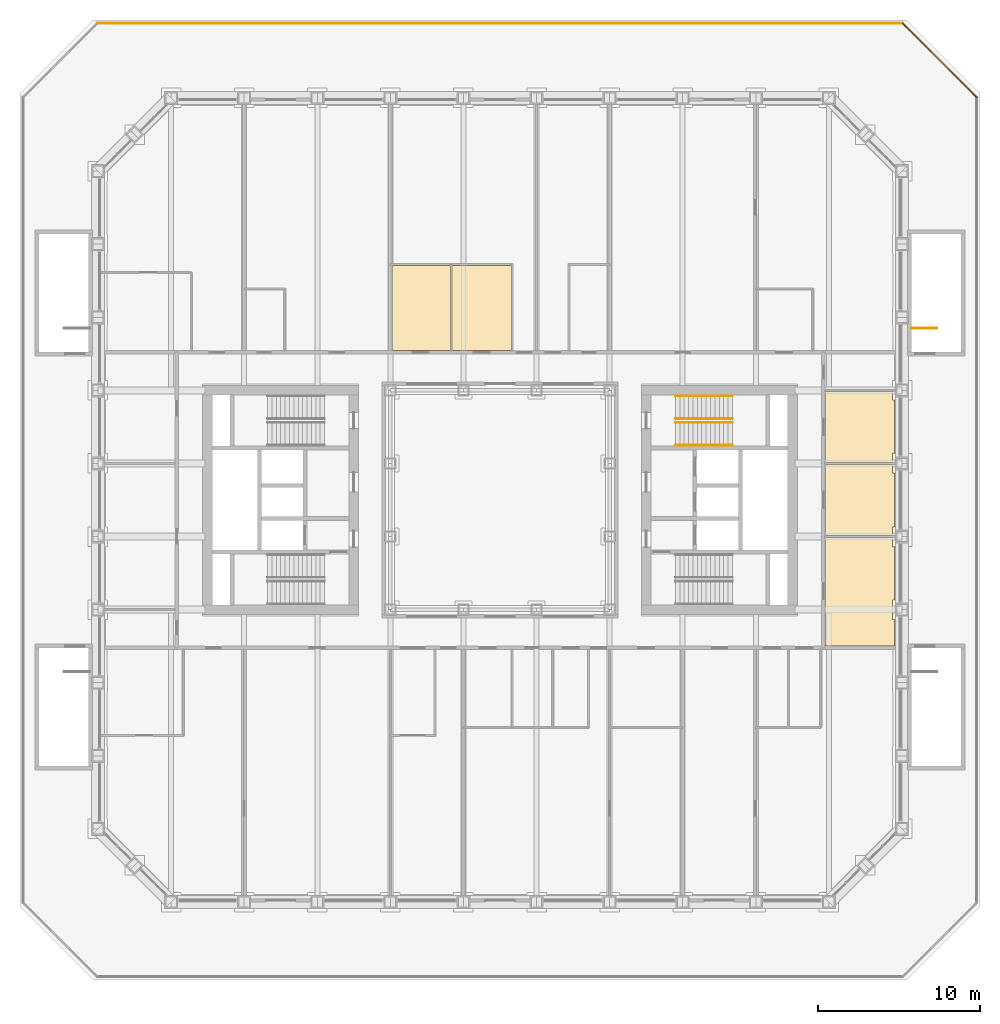
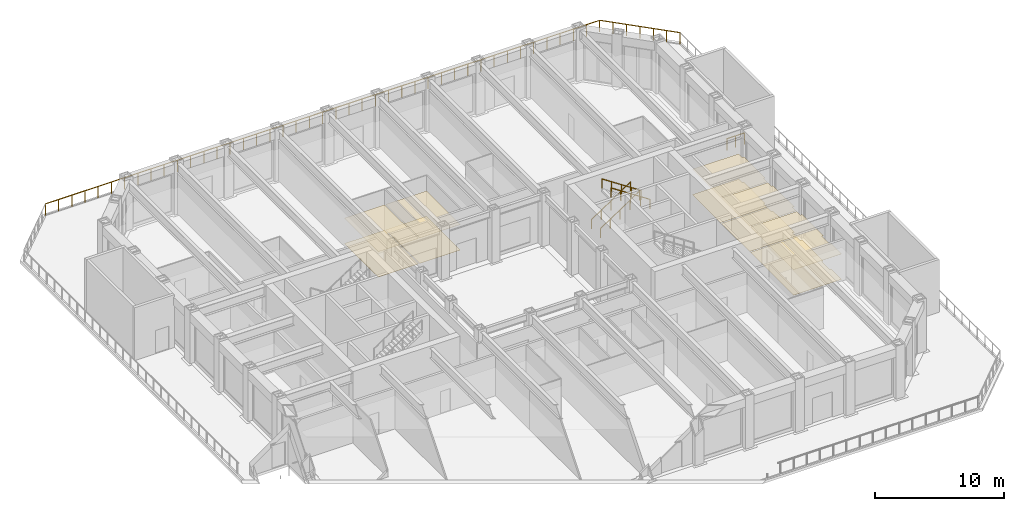
# One storey, part 18 of 18: 7 railings, 2 coverings.
"""IFC4 building model written with IfcOpenShell, lengths in metres."""

from ifc_helpers import new_model, si_unit, direction, frame, origin, origin_2d, place, context, subcontext, project, spatial, line, indexed_curve, circle, outline, extrude, material, layer, layer_set, type_object, element, save


model = new_model("IFC4")

# Units and contexts
model_context = context("Model", 3, precision=1e-05, world=origin(), true_north=direction((0.0, 1.0)))
body_context = subcontext(model_context, "Body", "Model", "MODEL_VIEW")
ifc_project = project(units=[si_unit("LENGTHUNIT", "METRE"), si_unit("AREAUNIT", "SQUARE_METRE"), si_unit("VOLUMEUNIT", "CUBIC_METRE"), si_unit("PLANEANGLEUNIT", "RADIAN"), si_unit("MASSUNIT", "GRAM", prefix="KILO")], contexts=[model_context])

# Site, building, storey
site_placement = place(None, origin())
site = spatial("IfcSite", under=ifc_project, at=site_placement, CompositionType="ELEMENT")
building_placement = place(site_placement, origin())
building = spatial("IfcBuilding", under=site, at=building_placement, Name="Msasa Ring Tower", CompositionType="ELEMENT")
storey_placement = place(building_placement, frame((0.0, 0.0, 21.5)))
storey = spatial("IfcBuildingStorey", under=building, at=storey_placement, Name="L04", CompositionType="ELEMENT", Elevation=21.5)

# Coverings
ifc_material_1 = material(Name="Moisture-resistant gypsum plasterboard on a steel suspension grid", Category="steel")
ifc_layer_1 = layer(ifc_material_1, 0.014892578125)
ifc_layer_set_1 = layer_set([ifc_layer_1], Name="C2 MOISTURE-RESISTANT PLASTERBOARD CEILING 15")
covering_type_1 = type_object("IfcCoveringType", Name="C2 MOISTURE-RESISTANT PLASTERBOARD CEILING 15", PredefinedType="CEILING", material=ifc_layer_set_1)
covering_1_placement = place(storey_placement, frame((0.0, 0.0, 2.39990234375)))
element("IfcCovering", 1, at=covering_1_placement, inside=storey, type_object=covering_type_1, Name="Moisture-Resistant Plasterboard Ceiling 15 L04", PredefinedType="CEILING", context=body_context, shape_type="SweptSolid", body=[
    extrude(outline(indexed_curve([(-6.6494140625, 9.200439453125), (-6.6494140625, 14.449462890625), (-3.050537109375, 14.449462890625), (-3.050537109375, 9.200439453125)], segments=[line(1, 2, 3, 4, 1)], self_intersect=False)), origin(), (0.0, 0.0, 1.0), 0.01513671875),
    extrude(outline(indexed_curve([(-2.949462890625, 9.200439453125), (-2.949462890625, 14.449462890625), (0.699462890625, 14.449462890625), (0.699462890625, 9.200439453125)], segments=[line(1, 2, 3, 4, 1)], self_intersect=False)), origin(), (0.0, 0.0, 1.0), 0.01513671875),
    extrude(outline(indexed_curve([(24.1494140625, -2.305419921875), (24.1494140625, -2.8505859375), (24.299560546875, -2.8505859375), (24.299560546875, -6.1494140625), (24.1494140625, -6.1494140625), (24.1494140625, -7.3505859375), (24.299560546875, -7.3505859375), (24.299560546875, -8.99951171875), (20.00048828125, -8.99951171875), (20.00048828125, -2.305419921875)], segments=[line(1, 2, 3, 4, 5, 6, 7, 8, 9, 10, 1)], self_intersect=False)), origin(), (0.0, 0.0, 1.0), 0.01513671875),
    extrude(outline(indexed_curve([(24.1494140625, 2.194580078125), (24.1494140625, 1.6494140625), (24.299560546875, 1.6494140625), (24.299560546875, -1.6494140625), (24.1494140625, -1.6494140625), (24.1494140625, -2.194580078125), (20.00048828125, -2.194580078125), (20.00048828125, 2.194580078125)], segments=[line(1, 2, 3, 4, 5, 6, 7, 8, 1)], self_intersect=False)), origin(), (0.0, 0.0, 1.0), 0.01513671875),
    extrude(outline(indexed_curve([(24.1494140625, 6.694580078125), (24.1494140625, 6.1494140625), (24.299560546875, 6.1494140625), (24.299560546875, 2.8505859375), (24.1494140625, 2.8505859375), (24.1494140625, 2.305419921875), (20.00048828125, 2.305419921875), (20.00048828125, 6.694580078125)], segments=[line(1, 2, 3, 4, 5, 6, 7, 8, 1)], self_intersect=False)), origin(), (0.0, 0.0, 1.0), 0.01513671875),
])
ifc_material_2 = material(Name="Porcelain floor tiles in adhesive", Category="ceramic")
ifc_layer_2 = layer(ifc_material_2, 0.010009765625)
ifc_layer_set_2 = layer_set([ifc_layer_2], Name="F4 PORCELAIN TILE ON ADHESIVE 10")
covering_type_2 = type_object("IfcCoveringType", Name="F4 PORCELAIN TILE ON ADHESIVE 10", PredefinedType="FLOORING", material=ifc_layer_set_2)
covering_2_placement = place(storey_placement, origin())
element("IfcCovering", 2, at=covering_2_placement, inside=storey, type_object=covering_type_2, Name="Porcelain Tile On Adhesive 10 L04", PredefinedType="FLOORING", context=body_context, shape_type="SweptSolid", body=[
    extrude(outline(indexed_curve([(-3.050537109375, 14.449462890625), (-3.050537109375, 9.200439453125), (-6.6494140625, 9.200439453125), (-6.6494140625, 14.449462890625)], segments=[line(1, 2, 3, 4, 1)], self_intersect=False)), origin(), (0.0, 0.0, 1.0), 0.010009765625),
    extrude(outline(indexed_curve([(-2.949462890625, 14.449462890625), (0.699462890625, 14.449462890625), (0.699462890625, 9.200439453125), (-2.949462890625, 9.200439453125)], segments=[line(1, 2, 3, 4, 1)], self_intersect=False)), origin(), (0.0, 0.0, 1.0), 0.010009765625),
    extrude(outline(indexed_curve([(24.299560546875, -6.1494140625), (24.1494140625, -6.1494140625), (24.1494140625, -7.3505859375), (24.299560546875, -7.3505859375), (24.299560546875, -8.99951171875), (20.00048828125, -8.99951171875), (20.00048828125, -2.305419921875), (24.1494140625, -2.305419921875), (24.1494140625, -2.8505859375), (24.299560546875, -2.8505859375)], segments=[line(1, 2, 3, 4, 5, 6, 7, 8, 9, 10, 1)], self_intersect=False)), origin(), (0.0, 0.0, 1.0), 0.010009765625),
    extrude(outline(indexed_curve([(24.299560546875, -1.6494140625), (24.1494140625, -1.6494140625), (24.1494140625, -2.194580078125), (20.00048828125, -2.194580078125), (20.00048828125, 2.194580078125), (24.1494140625, 2.194580078125), (24.1494140625, 1.6494140625), (24.299560546875, 1.6494140625)], segments=[line(1, 2, 3, 4, 5, 6, 7, 8, 1)], self_intersect=False)), origin(), (0.0, 0.0, 1.0), 0.010009765625),
    extrude(outline(indexed_curve([(24.299560546875, 2.8505859375), (24.1494140625, 2.8505859375), (24.1494140625, 2.305419921875), (20.00048828125, 2.305419921875), (20.00048828125, 6.694580078125), (24.1494140625, 6.694580078125), (24.1494140625, 6.1494140625), (24.299560546875, 6.1494140625)], segments=[line(1, 2, 3, 4, 5, 6, 7, 8, 1)], self_intersect=False)), origin(), (0.0, 0.0, 1.0), 0.010009765625),
])

# Railings
ifc_material_3 = material(Name="Stainless steel", Category="steel")
railing_type_1 = type_object("IfcRailingType", Name="GR1 GUARD 1100", PredefinedType="GUARDRAIL", material=ifc_material_3)
railing_1_placement = place(storey_placement, frame((25.324951171875, 10.574951171875, 0.0)))
element("IfcRailing", 3, at=railing_1_placement, inside=storey, type_object=railing_type_1, Name="Guard at the head of podium stair PEN", PredefinedType="GUARDRAIL", context=body_context, shape_type="SweptSolid", body=[
    extrude(circle(Radius=0.02392578125, at=origin_2d()), frame((0.0, 0.0, 1.076171875), z_axis=(1.0, 0.0, 0.0), x_axis=(0.0, 1.0, 0.0)), (0.0, 0.0, 1.0), 1.574951171875),
    extrude(circle(Radius=0.02099609375, at=origin_2d()), origin(), (0.0, 0.0, 1.0), 1.052001953125),
    extrude(circle(Radius=0.02099609375, at=origin_2d()), frame((0.78759765625, 0.0, 0.0)), (0.0, 0.0, 1.0), 1.052001953125),
    extrude(circle(Radius=0.02099609375, at=origin_2d()), frame((1.574951171875, 0.0, 0.0)), (0.0, 0.0, 1.0), 1.052001953125),
])
ifc_material_4 = material(Name="Stainless steel and laminated glass", Category="steel")
railing_type_2 = type_object("IfcRailingType", Name="GR2 TERRACE GUARD 1100", PredefinedType="GUARDRAIL", material=ifc_material_4)
railing_2_placement = place(storey_placement, frame((29.35009765625, 24.79150390625, 0.0)))
element("IfcRailing", 4, at=railing_2_placement, inside=storey, type_object=railing_type_2, Name="Podium roof terrace guard NE L04", PredefinedType="GUARDRAIL", context=body_context, shape_type="SweptSolid", body=[
    extrude(circle(Radius=0.02392578125, at=origin_2d()), frame((0.0, 0.0, 1.076171875), z_axis=(-0.707106781187, 0.707106781187, 0.0), x_axis=(-0.707106781187, -0.707106781187, 0.0)), (0.0, 0.0, 1.0), 6.44677734375),
    extrude(circle(Radius=0.02099609375, at=origin_2d()), origin(), (0.0, 0.0, 1.0), 1.052001953125),
    extrude(circle(Radius=0.02099609375, at=origin_2d()), frame((-0.759765625, 0.759765625, 0.0)), (0.0, 0.0, 1.0), 1.052001953125),
    extrude(circle(Radius=0.02099609375, at=origin_2d()), frame((-1.51953125, 1.51953125, 0.0)), (0.0, 0.0, 1.0), 1.052001953125),
    extrude(circle(Radius=0.02099609375, at=origin_2d()), frame((-2.279296875, 2.279296875, 0.0)), (0.0, 0.0, 1.0), 1.052001953125),
    extrude(circle(Radius=0.02099609375, at=origin_2d()), frame((-3.0390625, 3.0390625, 0.0)), (0.0, 0.0, 1.0), 1.052001953125),
    extrude(circle(Radius=0.02099609375, at=origin_2d()), frame((-3.798828125, 3.798828125, 0.0)), (0.0, 0.0, 1.0), 1.052001953125),
    extrude(circle(Radius=0.02099609375, at=origin_2d()), frame((-4.55859375, 4.55859375, 0.0)), (0.0, 0.0, 1.0), 1.052001953125),
])
railing_3_placement = place(storey_placement, frame((24.79150390625, 29.35009765625, 0.0)))
element("IfcRailing", 5, at=railing_3_placement, inside=storey, type_object=railing_type_2, Name="Podium roof terrace guard N L04", PredefinedType="GUARDRAIL", context=body_context, shape_type="SweptSolid", body=[
    extrude(circle(Radius=0.02392578125, at=origin_2d()), frame((0.0, 0.0, 1.076171875), z_axis=(-1.0, 0.0, 0.0), x_axis=(0.0, -1.0, 0.0)), (0.0, 0.0, 1.0), 49.5830078125),
    extrude(circle(Radius=0.02099609375, at=origin_2d()), origin(), (0.0, 0.0, 1.0), 1.052001953125),
    extrude(circle(Radius=0.02099609375, at=origin_2d()), frame((-1.1806640625, 0.0, 0.0)), (0.0, 0.0, 1.0), 1.052001953125),
    extrude(circle(Radius=0.02099609375, at=origin_2d()), frame((-2.361083984375, 0.0, 0.0)), (0.0, 0.0, 1.0), 1.052001953125),
    extrude(circle(Radius=0.02099609375, at=origin_2d()), frame((-3.541748046875, 0.0, 0.0)), (0.0, 0.0, 1.0), 1.052001953125),
    extrude(circle(Radius=0.02099609375, at=origin_2d()), frame((-4.72216796875, 0.0, 0.0)), (0.0, 0.0, 1.0), 1.052001953125),
    extrude(circle(Radius=0.02099609375, at=origin_2d()), frame((-5.90283203125, 0.0, 0.0)), (0.0, 0.0, 1.0), 1.052001953125),
    extrude(circle(Radius=0.02099609375, at=origin_2d()), frame((-7.083251953125, 0.0, 0.0)), (0.0, 0.0, 1.0), 1.052001953125),
    extrude(circle(Radius=0.02099609375, at=origin_2d()), frame((-8.263916015625, 0.0, 0.0)), (0.0, 0.0, 1.0), 1.052001953125),
    extrude(circle(Radius=0.02099609375, at=origin_2d()), frame((-9.4443359375, 0.0, 0.0)), (0.0, 0.0, 1.0), 1.052001953125),
    extrude(circle(Radius=0.02099609375, at=origin_2d()), frame((-10.625, 0.0, 0.0)), (0.0, 0.0, 1.0), 1.052001953125),
    extrude(circle(Radius=0.02099609375, at=origin_2d()), frame((-11.805419921875, 0.0, 0.0)), (0.0, 0.0, 1.0), 1.052001953125),
    extrude(circle(Radius=0.02099609375, at=origin_2d()), frame((-12.986083984375, 0.0, 0.0)), (0.0, 0.0, 1.0), 1.052001953125),
    extrude(circle(Radius=0.02099609375, at=origin_2d()), frame((-14.16650390625, 0.0, 0.0)), (0.0, 0.0, 1.0), 1.052001953125),
    extrude(circle(Radius=0.02099609375, at=origin_2d()), frame((-15.34716796875, 0.0, 0.0)), (0.0, 0.0, 1.0), 1.052001953125),
    extrude(circle(Radius=0.02099609375, at=origin_2d()), frame((-16.527587890625, 0.0, 0.0)), (0.0, 0.0, 1.0), 1.052001953125),
    extrude(circle(Radius=0.02099609375, at=origin_2d()), frame((-17.708251953125, 0.0, 0.0)), (0.0, 0.0, 1.0), 1.052001953125),
    extrude(circle(Radius=0.02099609375, at=origin_2d()), frame((-18.888671875, 0.0, 0.0)), (0.0, 0.0, 1.0), 1.052001953125),
    extrude(circle(Radius=0.02099609375, at=origin_2d()), frame((-20.0693359375, 0.0, 0.0)), (0.0, 0.0, 1.0), 1.052001953125),
    extrude(circle(Radius=0.02099609375, at=origin_2d()), frame((-21.249755859375, 0.0, 0.0)), (0.0, 0.0, 1.0), 1.052001953125),
    extrude(circle(Radius=0.02099609375, at=origin_2d()), frame((-22.430419921875, 0.0, 0.0)), (0.0, 0.0, 1.0), 1.052001953125),
    extrude(circle(Radius=0.02099609375, at=origin_2d()), frame((-23.61083984375, 0.0, 0.0)), (0.0, 0.0, 1.0), 1.052001953125),
    extrude(circle(Radius=0.02099609375, at=origin_2d()), frame((-24.79150390625, 0.0, 0.0)), (0.0, 0.0, 1.0), 1.052001953125),
    extrude(circle(Radius=0.02099609375, at=origin_2d()), frame((-25.97216796875, 0.0, 0.0)), (0.0, 0.0, 1.0), 1.052001953125),
    extrude(circle(Radius=0.02099609375, at=origin_2d()), frame((-27.152587890625, 0.0, 0.0)), (0.0, 0.0, 1.0), 1.052001953125),
    extrude(circle(Radius=0.02099609375, at=origin_2d()), frame((-28.333251953125, 0.0, 0.0)), (0.0, 0.0, 1.0), 1.052001953125),
    extrude(circle(Radius=0.02099609375, at=origin_2d()), frame((-29.513671875, 0.0, 0.0)), (0.0, 0.0, 1.0), 1.052001953125),
    extrude(circle(Radius=0.02099609375, at=origin_2d()), frame((-30.6943359375, 0.0, 0.0)), (0.0, 0.0, 1.0), 1.052001953125),
    extrude(circle(Radius=0.02099609375, at=origin_2d()), frame((-31.874755859375, 0.0, 0.0)), (0.0, 0.0, 1.0), 1.052001953125),
    extrude(circle(Radius=0.02099609375, at=origin_2d()), frame((-33.055419921875, 0.0, 0.0)), (0.0, 0.0, 1.0), 1.052001953125),
    extrude(circle(Radius=0.02099609375, at=origin_2d()), frame((-34.23583984375, 0.0, 0.0)), (0.0, 0.0, 1.0), 1.052001953125),
    extrude(circle(Radius=0.02099609375, at=origin_2d()), frame((-35.41650390625, 0.0, 0.0)), (0.0, 0.0, 1.0), 1.052001953125),
    extrude(circle(Radius=0.02099609375, at=origin_2d()), frame((-36.596923828125, 0.0, 0.0)), (0.0, 0.0, 1.0), 1.052001953125),
    extrude(circle(Radius=0.02099609375, at=origin_2d()), frame((-37.777587890625, 0.0, 0.0)), (0.0, 0.0, 1.0), 1.052001953125),
    extrude(circle(Radius=0.02099609375, at=origin_2d()), frame((-38.9580078125, 0.0, 0.0)), (0.0, 0.0, 1.0), 1.052001953125),
    extrude(circle(Radius=0.02099609375, at=origin_2d()), frame((-40.138671875, 0.0, 0.0)), (0.0, 0.0, 1.0), 1.052001953125),
    extrude(circle(Radius=0.02099609375, at=origin_2d()), frame((-41.319091796875, 0.0, 0.0)), (0.0, 0.0, 1.0), 1.052001953125),
    extrude(circle(Radius=0.02099609375, at=origin_2d()), frame((-42.499755859375, 0.0, 0.0)), (0.0, 0.0, 1.0), 1.052001953125),
    extrude(circle(Radius=0.02099609375, at=origin_2d()), frame((-43.68017578125, 0.0, 0.0)), (0.0, 0.0, 1.0), 1.052001953125),
    extrude(circle(Radius=0.02099609375, at=origin_2d()), frame((-44.86083984375, 0.0, 0.0)), (0.0, 0.0, 1.0), 1.052001953125),
    extrude(circle(Radius=0.02099609375, at=origin_2d()), frame((-46.041259765625, 0.0, 0.0)), (0.0, 0.0, 1.0), 1.052001953125),
    extrude(circle(Radius=0.02099609375, at=origin_2d()), frame((-47.221923828125, 0.0, 0.0)), (0.0, 0.0, 1.0), 1.052001953125),
    extrude(circle(Radius=0.02099609375, at=origin_2d()), frame((-48.40234375, 0.0, 0.0)), (0.0, 0.0, 1.0), 1.052001953125),
    extrude(circle(Radius=0.02099609375, at=origin_2d()), frame((-49.5830078125, 0.0, 0.0)), (0.0, 0.0, 1.0), 1.052001953125),
])
ifc_material_5 = material(Name="Stainless steel", Category="steel")
railing_type_3 = type_object("IfcRailingType", Name="HR1 HANDRAIL 900", PredefinedType="HANDRAIL", material=ifc_material_5)
for number, where, name in (
    (6, (10.800048828125, 5.0, 0.178466796875), "Handrail stair SEB L04 1"),
    (7, (10.800048828125, 6.39990234375, 0.178466796875), "Handrail stair SEB L04 2"),
):
    element("IfcRailing", number, at=place(storey_placement, frame(where)), inside=storey, type_object=railing_type_3, Name=name, PredefinedType="HANDRAIL", context=body_context, shape_type="SweptSolid", body=[
        extrude(circle(Radius=0.02392578125, at=origin_2d()), frame((0.0, 0.0, 0.8759765625), z_axis=(0.834070780157, 0.0, 0.551657442339), x_axis=(0.0, 1.0, 0.0)), (0.0, 0.0, 1.0), 4.208251953125),
        extrude(circle(Radius=0.02099609375, at=origin_2d()), origin(), (0.0, 0.0, 1.0), 0.851806640625),
        extrude(circle(Radius=0.02099609375, at=origin_2d()), frame((0.87744140625, 0.0, 0.580322265625)), (0.0, 0.0, 1.0), 0.851806640625),
        extrude(circle(Radius=0.02099609375, at=origin_2d()), frame((1.7548828125, 0.0, 1.16064453125)), (0.0, 0.0, 1.0), 0.851806640625),
        extrude(circle(Radius=0.02099609375, at=origin_2d()), frame((2.632568359375, 0.0, 1.7412109375)), (0.0, 0.0, 1.0), 0.851806640625),
        extrude(circle(Radius=0.02099609375, at=origin_2d()), frame((3.510009765625, 0.0, 2.321533203125)), (0.0, 0.0, 1.0), 0.851806640625),
    ])
for number, where, name in (
    (8, (14.31005859375, 3.375, 2.678466796875), "Handrail stair SEB L04 3"),
    (9, (14.31005859375, 4.77490234375, 2.678466796875), "Handrail stair SEB L04 4"),
):
    element("IfcRailing", number, at=place(storey_placement, frame(where)), inside=storey, type_object=railing_type_3, Name=name, PredefinedType="HANDRAIL", context=body_context, shape_type="SweptSolid", body=[
        extrude(circle(Radius=0.02392578125, at=origin_2d()), frame((0.0, 0.0, 0.8759765625), z_axis=(-0.834070780157, 0.0, 0.551657442339), x_axis=(0.0, -1.0, 0.0)), (0.0, 0.0, 1.0), 4.208251953125),
        extrude(circle(Radius=0.02099609375, at=origin_2d()), origin(), (0.0, 0.0, 1.0), 0.851806640625),
        extrude(circle(Radius=0.02099609375, at=origin_2d()), frame((-0.87744140625, 0.0, 0.580322265625)), (0.0, 0.0, 1.0), 0.851806640625),
        extrude(circle(Radius=0.02099609375, at=origin_2d()), frame((-1.7548828125, 0.0, 1.16064453125)), (0.0, 0.0, 1.0), 0.851806640625),
        extrude(circle(Radius=0.02099609375, at=origin_2d()), frame((-2.632568359375, 0.0, 1.7412109375)), (0.0, 0.0, 1.0), 0.851806640625),
        extrude(circle(Radius=0.02099609375, at=origin_2d()), frame((-3.510009765625, 0.0, 2.321533203125)), (0.0, 0.0, 1.0), 0.851806640625),
    ])

save(model, "model.ifc")
